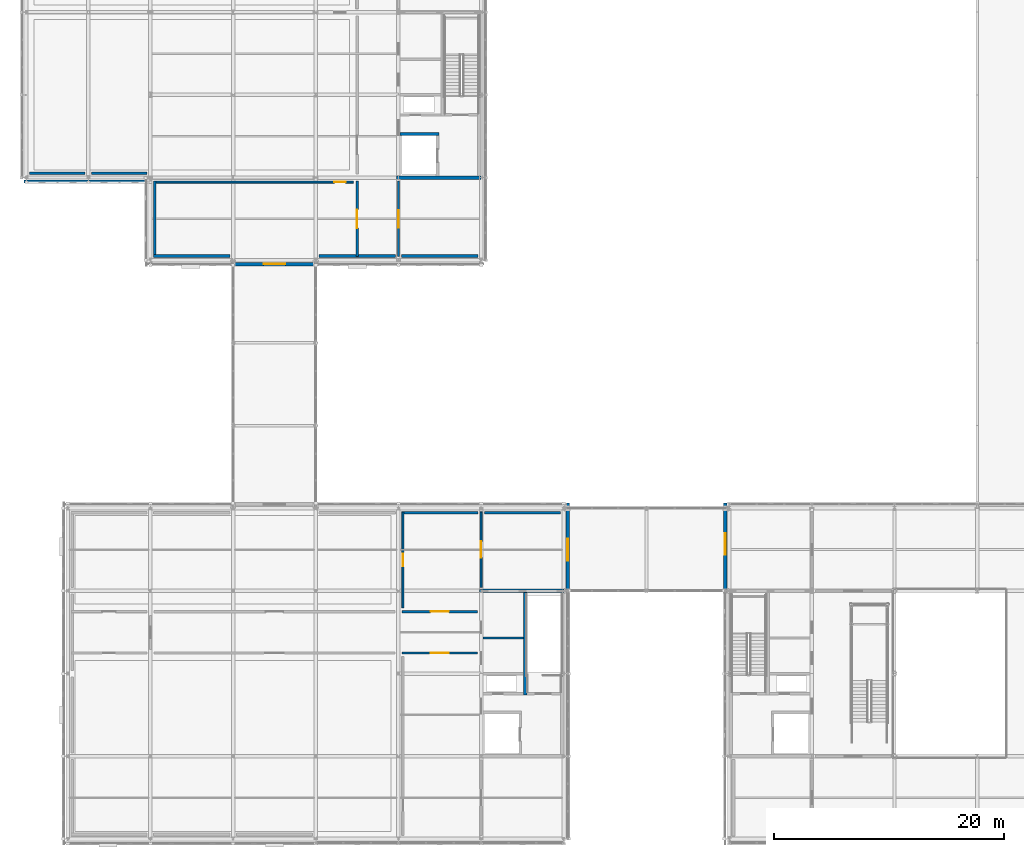
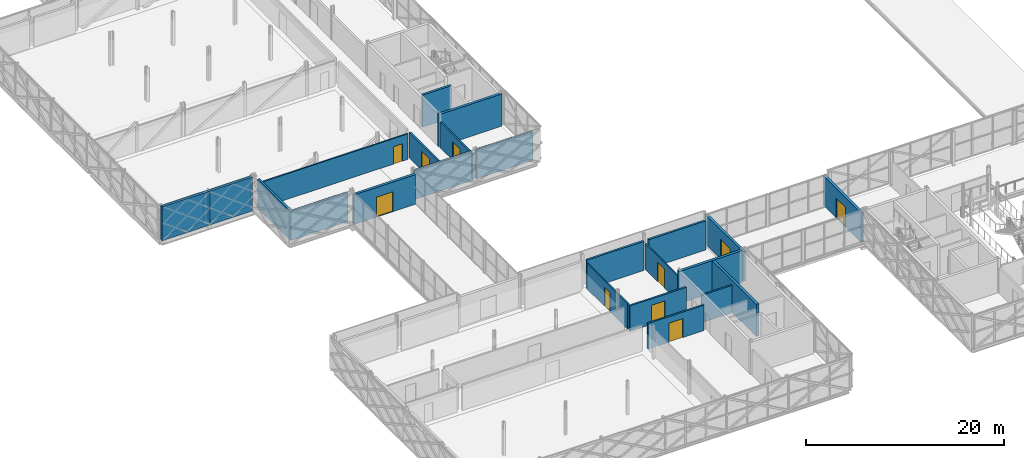
# One storey, part 102 of 126: 25 walls, 10 doors, 10 openings.
"""IFC4 building model written with IfcOpenShell, lengths in metres."""

import ifcopenshell
import ifcopenshell.guid

model = None  # the IFC model being written
_history = None  # IfcOwnerHistory: only IFC2X3 demands one
_inside = {}  # id of a spatial element -> (the spatial element, [elements in it])
_under = {}  # id of a project, library or spatial element -> (it, [spatial elements below it])
_declared = {}  # id of a project -> (the project, [libraries it declares])
_typed = {}  # id of a type object -> (the type object, [elements of that type])
_made_of = {}  # id of a material, layer set ... -> (it, [elements and type objects made of it])


def new_model(schema):
    """Start an empty IFC model of exactly this schema.

    Asked for "IFC4X3", IfcOpenShell would pick the latest addendum, in which some entities
    have other attributes; the version numbers below select the first issue.
    IFC2X3 requires an IfcOwnerHistory on every rooted entity: one is made here for all.
    """
    global model, _history
    if schema == "IFC4X3":
        model = ifcopenshell.file(schema_version=(4, 3, 0, 0))
    else:
        model = ifcopenshell.file(schema=schema)
    _inside.clear()
    _under.clear()
    _declared.clear()
    _typed.clear()
    _made_of.clear()
    _history = None
    if model.schema == "IFC2X3":
        org = make("IfcOrganization", Name="unknown")
        user = make(
            "IfcPersonAndOrganization",
            ThePerson=make("IfcPerson", FamilyName="unknown"),
            TheOrganization=org,
        )
        app = make(
            "IfcApplication",
            ApplicationDeveloper=org,
            Version="unknown",
            ApplicationFullName="unknown",
            ApplicationIdentifier="unknown",
        )
        _history = make(
            "IfcOwnerHistory",
            OwningUser=user,
            OwningApplication=app,
            ChangeAction="ADDED",
            CreationDate=0,
        )
    return model


def make(cls, **values):
    """One entity of the class cls with the attributes given. An attribute that is None is left unset."""
    return model.create_entity(
        cls, **{name: value for name, value in values.items() if value is not None}
    )


def rooted(cls, **values):
    """An entity with a GlobalId (a new one), such as an element, a storey or a relation."""
    return make(cls, GlobalId=ifcopenshell.guid.new(), OwnerHistory=_history, **values)


def si_unit(unit_type, name, prefix=None):
    """IfcSIUnit, for example si_unit("LENGTHUNIT", "METRE", prefix="MILLI")."""
    return make("IfcSIUnit", UnitType=unit_type, Prefix=prefix, Name=name)


def assignment(units):
    """IfcUnitAssignment: the units of a project."""
    return None if units is None else make("IfcUnitAssignment", Units=units)


def point(xyz):
    """IfcCartesianPoint."""
    return None if xyz is None else make("IfcCartesianPoint", Coordinates=xyz)


def direction(xyz):
    """IfcDirection."""
    return None if xyz is None else make("IfcDirection", DirectionRatios=xyz)


def frame(location, z_axis=None, x_axis=None):
    """IfcAxis2Placement3D, a coordinate frame: its origin and axes. An axis left out is left unset."""
    return make(
        "IfcAxis2Placement3D",
        Location=point(location),
        Axis=direction(z_axis),
        RefDirection=direction(x_axis),
    )


def frame_2d(location, x_axis=None):
    """IfcAxis2Placement2D, a coordinate frame in the plane: its origin and x axis."""
    return make(
        "IfcAxis2Placement2D", Location=point(location), RefDirection=direction(x_axis)
    )


def origin():
    """The frame at (0, 0, 0) with its axes left unset."""
    return frame((0.0, 0.0, 0.0))


def place(relative_to, where):
    """IfcLocalPlacement: puts the frame where relative to a parent placement (None: the world)."""
    return make(
        "IfcLocalPlacement", PlacementRelTo=relative_to, RelativePlacement=where
    )


def context(
    kind, dimensions, precision=None, world=None, true_north=None, identifier=None
):
    """IfcGeometricRepresentationContext, for example the 3D "Model" context."""
    return make(
        "IfcGeometricRepresentationContext",
        ContextIdentifier=identifier,
        ContextType=kind,
        CoordinateSpaceDimension=dimensions,
        Precision=precision,
        WorldCoordinateSystem=world,
        TrueNorth=true_north,
    )


def subcontext(parent, identifier, kind, view, scale=None):
    """IfcGeometricRepresentationSubContext, for example "Body" below "Model"."""
    return make(
        "IfcGeometricRepresentationSubContext",
        ContextIdentifier=identifier,
        ContextType=kind,
        ParentContext=parent,
        TargetScale=scale,
        TargetView=view,
    )


def project(units=None, contexts=None):
    """IfcProject with its units and contexts."""
    return rooted(
        "IfcProject",
        Name="project",
        RepresentationContexts=contexts,
        UnitsInContext=assignment(units),
    )


def spatial(cls, under=None, at=None, **own):
    """A site, building, storey or space (cls), placed at a placement, below another one or the project."""
    s = rooted(cls, ObjectPlacement=at, **own)
    if under is not None:
        _under.setdefault(under.id(), (under, []))[1].append(s)
    return s


def profile(cls, at=None, kind="AREA", **sizes):
    """A parametric profile (cls). Its sizes go by their IFC names, for example OverallWidth=200.0."""
    return make(cls, ProfileType=kind, Position=at, **sizes)


def rectangle(**sizes):
    """IfcRectangleProfileDef."""
    return profile("IfcRectangleProfileDef", **sizes)


def extrude(swept, where, along, depth):
    """IfcExtrudedAreaSolid: the profile swept, set in the frame where, extruded along a direction by depth."""
    return make(
        "IfcExtrudedAreaSolid",
        SweptArea=swept,
        Position=where,
        ExtrudedDirection=direction(along),
        Depth=depth,
    )


def shape(context_of_items, identifier, shape_type, items):
    """IfcShapeRepresentation: the items that make up one representation, for example the "Body"."""
    return make(
        "IfcShapeRepresentation",
        ContextOfItems=context_of_items,
        RepresentationIdentifier=identifier,
        RepresentationType=shape_type,
        Items=items,
    )


def material(Name=None, Category=None):
    """IfcMaterial."""
    return make("IfcMaterial", Name=Name, Category=Category)


def layer(
    of_material, thickness, ventilated=None, Name=None, Category=None, Priority=None
):
    """IfcMaterialLayer: one layer of a wall or slab, of a material (None: an air gap)."""
    return make(
        "IfcMaterialLayer",
        Material=of_material,
        LayerThickness=thickness,
        IsVentilated=ventilated,
        Name=Name,
        Category=Category,
        Priority=Priority,
    )


def layer_set(layers, Name=None):
    """IfcMaterialLayerSet."""
    return make("IfcMaterialLayerSet", MaterialLayers=layers, LayerSetName=Name)


def made_of(thing, what):
    """Note that an element or type object is made of a material, layer set ...; save() writes the relation."""
    if what is not None:
        _made_of.setdefault(what.id(), (what, []))[1].append(thing)
    return thing


def type_object(cls, material=None, **own):
    """A type object (cls), such as IfcWallType, which elements share."""
    return made_of(rooted(cls, **own), material)


def element(
    cls,
    number,
    at=None,
    inside=None,
    cuts=None,
    type_object=None,
    material=None,
    context=None,
    identifier="Body",
    shape_type=None,
    held_by="IfcProductDefinitionShape",
    body=None,
    shapes=None,
    **own,
):
    """One element of the class cls, such as IfcWall. Its Tag is "e" and its number.

    at: its placement. inside: the storey or other place that contains it. cuts: it is an
    opening in that element (IfcRelVoidsElement). A single representation is given by context,
    identifier, shape_type and body (its items); several are given by shapes. held_by: the class
    of the entity that holds the representations. save() writes the other relations.
    """
    e = rooted(cls, Tag="e%d" % number, ObjectPlacement=at, **own)
    if body is not None:
        shapes = [shape(context, identifier, shape_type, body)]
    if shapes is not None:
        e.Representation = make(held_by, Representations=shapes)
    if inside is not None:
        _inside.setdefault(inside.id(), (inside, []))[1].append(e)
    if cuts is not None:
        rooted(
            "IfcRelVoidsElement", RelatingBuildingElement=cuts, RelatedOpeningElement=e
        )
    if type_object is not None:
        _typed.setdefault(type_object.id(), (type_object, []))[1].append(e)
    return made_of(e, material)


def fill(opening, filler):
    """IfcRelFillsElement: the door or window that sits in an opening."""
    return rooted(
        "IfcRelFillsElement",
        RelatingOpeningElement=opening,
        RelatedBuildingElement=filler,
    )


def aggregate(whole, parts):
    """IfcRelAggregates: a whole, such as a stair, and the parts it consists of."""
    return rooted("IfcRelAggregates", RelatingObject=whole, RelatedObjects=parts)


def save(model, path):
    """Write the relations noted so far, then the file.

    IfcRelAggregates (storeys below a building ...), IfcRelContainedInSpatialStructure (elements
    in a storey), IfcRelDefinesByType, IfcRelAssociatesMaterial and IfcRelDeclares: one each for
    every whole, place, type object, material and project.
    """
    for whole, parts in _under.values():
        aggregate(whole, parts)
    for where, things in _inside.values():
        rooted(
            "IfcRelContainedInSpatialStructure",
            RelatedElements=things,
            RelatingStructure=where,
        )
    for kind, things in _typed.values():
        rooted("IfcRelDefinesByType", RelatedObjects=things, RelatingType=kind)
    for what, things in _made_of.values():
        rooted("IfcRelAssociatesMaterial", RelatedObjects=things, RelatingMaterial=what)
    for by, libraries in _declared.values():
        rooted("IfcRelDeclares", RelatingContext=by, RelatedDefinitions=libraries)
    model.write(path)


model = new_model("IFC4")

# Units and contexts
model_context = context("Model", 3, precision=1e-05, world=origin(), true_north=direction((0.0, 1.0)))
body_context = subcontext(model_context, "Body", "Model", "MODEL_VIEW")
ifc_project = project(units=[si_unit("LENGTHUNIT", "METRE"), si_unit("AREAUNIT", "SQUARE_METRE"), si_unit("VOLUMEUNIT", "CUBIC_METRE"), si_unit("PLANEANGLEUNIT", "RADIAN"), si_unit("MASSUNIT", "GRAM", prefix="KILO")], contexts=[model_context])

# Site, building, storey
site_placement = place(None, origin())
site = spatial("IfcSite", under=ifc_project, at=site_placement, CompositionType="ELEMENT")
building_placement = place(site_placement, origin())
building = spatial("IfcBuilding", under=site, at=building_placement, Name="Zlatovets Crest Museum", CompositionType="ELEMENT")
storey_placement = place(building_placement, frame((0.0, 0.0, 8.699951171875)))
storey = spatial("IfcBuildingStorey", under=building, at=storey_placement, Name="L02", CompositionType="ELEMENT", Elevation=8.699951171875)

# Walls
ifc_material_1 = material(Name="Concrete C35/45", Category="concrete")
ifc_layer_1 = layer(ifc_material_1, 0.300048828125)
ifc_layer_set_1 = layer_set([ifc_layer_1], Name="Concrete C35/45")
wall_type_1 = type_object("IfcWallType", Name="CoreWall_SW01", PredefinedType="SHEAR", material=ifc_layer_set_1)
wall_1_placement = place(storey_placement, frame((35.85009765625, 21.60009765625, 0.0), z_axis=(0.0, 0.0, 1.0), x_axis=(1.0, 0.0, 0.0)))
element("IfcWall", 1, at=wall_1_placement, inside=storey, type_object=wall_type_1, Name="Core C3 L02 North Shear Wall", PredefinedType="SHEAR", context=body_context, shape_type="SweptSolid", body=[
    extrude(rectangle(XDim=7.349853515625, YDim=0.300048828125, at=frame_2d((3.6748046875, 0.0))), origin(), (0.0, 0.0, 1.0), 3.9599609375),
])
wall_2_placement = place(storey_placement, frame((39.85009765625, 12.5400390625, 0.0), z_axis=(0.0, 0.0, 1.0), x_axis=(0.0, 1.0, 0.0)))
element("IfcWall", 2, at=wall_2_placement, inside=storey, type_object=wall_type_1, Name="Core C3 L02 Stair Divider Wall", PredefinedType="SHEAR", context=body_context, shape_type="SweptSolid", body=[
    extrude(rectangle(XDim=8.909912109375, YDim=0.300048828125, at=frame_2d((4.455078125, 0.0))), origin(), (0.0, 0.0, 1.0), 3.9599609375),
])
wall_3_placement = place(storey_placement, frame((28.64990234375, 57.60009765625, 0.0), z_axis=(0.0, 0.0, 1.0), x_axis=(1.0, 0.0, 0.0)))
element("IfcWall", 3, at=wall_3_placement, inside=storey, type_object=wall_type_1, Name="Core C4 L02 South Shear Wall", PredefinedType="SHEAR", context=body_context, shape_type="SweptSolid", body=[
    extrude(rectangle(XDim=7.35009765625, YDim=0.300048828125, at=frame_2d((3.675048828125, 0.0))), origin(), (0.0, 0.0, 1.0), 3.9599609375),
])
ifc_layer_2 = layer(ifc_material_1, 0.25)
ifc_layer_set_2 = layer_set([ifc_layer_2], Name="Concrete C35/45")
wall_type_2 = type_object("IfcWallType", Name="CoreWall_SW02", PredefinedType="SHEAR", material=ifc_layer_set_2)
wall_4_placement = place(storey_placement, frame((28.949951171875, 61.39990234375, 0.0), z_axis=(0.0, 0.0, 1.0), x_axis=(1.0, 0.0, 0.0)))
element("IfcWall", 4, at=wall_4_placement, inside=storey, type_object=wall_type_2, Name="Core C4 L02 Lift Shaft North Shear Wall", PredefinedType="SHEAR", context=body_context, shape_type="SweptSolid", body=[
    extrude(rectangle(XDim=3.375, YDim=0.25, at=frame_2d((1.6875, 0.0))), origin(), (0.0, 0.0, 1.0), 3.9599609375),
])

# Wall, opening, door
ifc_material_2 = material(Name="Insulated gallery conservation liner wall", Category="concrete")
ifc_layer_3 = layer(ifc_material_2, 0.300048828125)
ifc_layer_set_3 = layer_set([ifc_layer_3], Name="Insulated gallery conservation liner wall")
wall_type_3 = type_object("IfcWallType", Name="ExtWall_EW-02", PredefinedType="STANDARD", material=ifc_layer_set_3)
wall_5_placement = place(storey_placement, frame((57.260009765625, 29.280029296875, 0.0), z_axis=(0.0, 0.0, 1.0), x_axis=(0.0, -1.0, 0.0)))
wall_5 = element("IfcWall", 5, at=wall_5_placement, inside=storey, type_object=wall_type_3, Name="V2 L02 Bridge Portal Wall", PredefinedType="STANDARD", context=body_context, shape_type="SweptSolid", body=[
    extrude(rectangle(XDim=7.679931640625, YDim=0.300048828125, at=frame_2d((3.83984375, 0.0))), origin(), (0.0, 0.0, 1.0), 3.650146484375),
])
opening_1_placement = place(wall_5_placement, frame((2.64990234375, 0.0, 0.0)))
opening_1 = element("IfcOpeningElement", 6, at=opening_1_placement, cuts=wall_5, Name="Opening ED-02", PredefinedType="OPENING", context=body_context, shape_type="SweptSolid", body=[
    extrude(rectangle(XDim=1.89990234375, YDim=2.449951171875, at=frame_2d((0.949951171875, 1.22509765625))), frame((0.0, 0.16015625, 0.0), z_axis=(0.0, -1.0, 0.0), x_axis=(1.0, 0.0, 0.0)), (0.0, 0.0, 1.0), 0.320068359375),
])
ifc_material_3 = material(Name="Bronze-clad insulated steel door", Category="steel")
door_type_1 = type_object("IfcDoorType", Name="ExtDoor_ED-02", OperationType="NOTDEFINED", PredefinedType="DOOR", material=ifc_material_3)
door_1_placement = place(opening_1_placement, origin())
door_1 = element("IfcDoor", 7, at=door_1_placement, inside=storey, type_object=door_type_1, Name="ED-V2-L02-BR024 V2 L02 Bridge Link Portal Door", OperationType="DOUBLE_DOOR_SINGLE_SWING", OverallHeight=2.449951171875, OverallWidth=1.89990234375, PredefinedType="DOOR", context=body_context, shape_type="SweptSolid", body=[
    extrude(rectangle(XDim=1.89990234375, YDim=2.449951171875, at=frame_2d((0.949951171875, 1.22509765625))), frame((0.0, 0.02490234375, 0.0), z_axis=(0.0, -1.0, 0.0), x_axis=(1.0, 0.0, 0.0)), (0.0, 0.0, 1.0), 0.050048828125),
])
fill(opening_1, door_1)

wall_6_placement = place(storey_placement, frame((43.5400390625, 21.60009765625, 0.0), z_axis=(0.0, 0.0, 1.0), x_axis=(0.0, 1.0, 0.0)))
wall_6 = element("IfcWall", 8, at=wall_6_placement, inside=storey, type_object=wall_type_3, Name="V3 L02 Bridge Portal Wall", PredefinedType="STANDARD", context=body_context, shape_type="SweptSolid", body=[
    extrude(rectangle(XDim=7.679931640625, YDim=0.300048828125, at=frame_2d((3.83984375, 0.0))), origin(), (0.0, 0.0, 1.0), 3.650146484375),
])
opening_2_placement = place(wall_6_placement, frame((2.64990234375, 0.0, 0.0)))
opening_2 = element("IfcOpeningElement", 9, at=opening_2_placement, cuts=wall_6, Name="Opening ED-02", PredefinedType="OPENING", context=body_context, shape_type="SweptSolid", body=[
    extrude(rectangle(XDim=1.89990234375, YDim=2.449951171875, at=frame_2d((0.949951171875, 1.22509765625))), frame((0.0, 0.16015625, 0.0), z_axis=(0.0, -1.0, 0.0), x_axis=(1.0, 0.0, 0.0)), (0.0, 0.0, 1.0), 0.320068359375),
])
door_2_placement = place(opening_2_placement, origin())
door_2 = element("IfcDoor", 10, at=door_2_placement, inside=storey, type_object=door_type_1, Name="ED-V3-L02-BR031 V3 L02 Bridge Link Portal Door", OperationType="DOUBLE_DOOR_SINGLE_SWING", OverallHeight=2.449951171875, OverallWidth=1.89990234375, PredefinedType="DOOR", context=body_context, shape_type="SweptSolid", body=[
    extrude(rectangle(XDim=1.89990234375, YDim=2.449951171875, at=frame_2d((0.949951171875, 1.22509765625))), frame((0.0, 0.02490234375, 0.0), z_axis=(0.0, -1.0, 0.0), x_axis=(1.0, 0.0, 0.0)), (0.0, 0.0, 1.0), 0.050048828125),
])
fill(opening_2, door_2)

# Walls
for number, where, z_axis, x_axis, name in (
    (11, (42.919921875, 28.419921875, 0.0), (0.0, 0.0, 1.0), (-1.0, 0.0, 0.0), "V3 L02 Interior Conservation Gallery Liner Wall"),
    (12, (35.719970703125, 28.419921875, 0.0), (0.0, 0.0, 1.0), (-1.0, 0.0, 0.0), "V3 L02 Interior Conservation Gallery Liner Wall"),
):
    element("IfcWall", number, at=place(storey_placement, frame(where, z_axis=z_axis, x_axis=x_axis)), inside=storey, type_object=wall_type_3, Name=name, PredefinedType="STANDARD", context=body_context, shape_type="SweptSolid", body=[
        extrude(rectangle(XDim=6.639892578125, YDim=0.239990234375, at=frame_2d((3.31982421875, 0.0))), origin(), (0.0, 0.0, 1.0), 3.580078125),
    ])
wall_7_placement = place(storey_placement, frame((7.47998046875, 50.780029296875, 0.0), z_axis=(0.0, 0.0, 1.0), x_axis=(1.0, 0.0, 0.0)))
element("IfcWall", 13, at=wall_7_placement, inside=storey, type_object=wall_type_3, Name="V4 L02 Interior Conservation Gallery Liner Wall", PredefinedType="STANDARD", context=body_context, shape_type="SweptSolid", body=[
    extrude(rectangle(XDim=6.64013671875, YDim=0.239990234375, at=frame_2d((3.320068359375, 0.0))), origin(), (0.0, 0.0, 1.0), 3.56005859375),
])

# Wall, opening, door
wall_8_placement = place(storey_placement, frame((14.39990234375, 50.06005859375, 0.0), z_axis=(0.0, 0.0, 1.0), x_axis=(1.0, 0.0, 0.0)))
wall_8 = element("IfcWall", 14, at=wall_8_placement, inside=storey, type_object=wall_type_3, Name="V4 L02 Bridge Portal Wall", PredefinedType="STANDARD", context=body_context, shape_type="SweptSolid", body=[
    extrude(rectangle(XDim=7.2001953125, YDim=0.300048828125, at=frame_2d((3.60009765625, 0.0))), origin(), (0.0, 0.0, 1.0), 3.650146484375),
])
opening_3_placement = place(wall_8_placement, frame((2.64990234375, 0.0, 0.0)))
opening_3 = element("IfcOpeningElement", 15, at=opening_3_placement, cuts=wall_8, Name="Opening ED-02", PredefinedType="OPENING", context=body_context, shape_type="SweptSolid", body=[
    extrude(rectangle(XDim=1.89990234375, YDim=2.449951171875, at=frame_2d((0.949951171875, 1.22509765625))), frame((0.0, 0.16015625, 0.0), z_axis=(0.0, -1.0, 0.0), x_axis=(1.0, 0.0, 0.0)), (0.0, 0.0, 1.0), 0.320068359375),
])
door_3_placement = place(opening_3_placement, origin())
door_3 = element("IfcDoor", 16, at=door_3_placement, inside=storey, type_object=door_type_1, Name="ED-V4-L02-BR039 V4 L02 Bridge Link Portal Door", OperationType="DOUBLE_DOOR_SINGLE_SWING", OverallHeight=2.449951171875, OverallWidth=1.89990234375, PredefinedType="DOOR", context=body_context, shape_type="SweptSolid", body=[
    extrude(rectangle(XDim=1.89990234375, YDim=2.449951171875, at=frame_2d((0.949951171875, 1.22509765625))), frame((0.0, 0.02490234375, 0.0), z_axis=(0.0, -1.0, 0.0), x_axis=(1.0, 0.0, 0.0)), (0.0, 0.0, 1.0), 0.050048828125),
])
fill(opening_3, door_3)

# Walls
wall_9_placement = place(storey_placement, frame((21.8798828125, 50.780029296875, 0.0), z_axis=(0.0, 0.0, 1.0), x_axis=(1.0, 0.0, 0.0)))
element("IfcWall", 17, at=wall_9_placement, inside=storey, type_object=wall_type_3, Name="V4 L02 Interior Conservation Gallery Liner Wall", PredefinedType="STANDARD", context=body_context, shape_type="SweptSolid", body=[
    extrude(rectangle(XDim=6.64013671875, YDim=0.239990234375, at=frame_2d((3.320068359375, 0.0))), origin(), (0.0, 0.0, 1.0), 3.56005859375),
])
wall_10_placement = place(storey_placement, frame((29.080078125, 50.780029296875, 0.0), z_axis=(0.0, 0.0, 1.0), x_axis=(1.0, 0.0, 0.0)))
element("IfcWall", 18, at=wall_10_placement, inside=storey, type_object=wall_type_3, Name="V4 L02 Interior Conservation Gallery Liner Wall", PredefinedType="STANDARD", context=body_context, shape_type="SweptSolid", body=[
    extrude(rectangle(XDim=6.639892578125, YDim=0.239990234375, at=frame_2d((3.31982421875, 0.0))), origin(), (0.0, 0.0, 1.0), 3.56005859375),
])
wall_11_placement = place(storey_placement, frame((-3.320068359375, 57.97998046875, 0.0), z_axis=(0.0, 0.0, 1.0), x_axis=(1.0, 0.0, 0.0)))
element("IfcWall", 19, at=wall_11_placement, inside=storey, type_object=wall_type_3, Name="V4 L02 Interior Conservation Gallery Liner Wall", PredefinedType="STANDARD", context=body_context, shape_type="SweptSolid", body=[
    extrude(rectangle(XDim=4.840087890625, YDim=0.239990234375, at=frame_2d((2.419921875, 0.0))), origin(), (0.0, 0.0, 1.0), 3.56005859375),
])
wall_12_placement = place(storey_placement, frame((2.080078125, 57.97998046875, 0.0), z_axis=(0.0, 0.0, 1.0), x_axis=(1.0, 0.0, 0.0)))
element("IfcWall", 20, at=wall_12_placement, inside=storey, type_object=wall_type_3, Name="V4 L02 Interior Conservation Gallery Liner Wall", PredefinedType="STANDARD", context=body_context, shape_type="SweptSolid", body=[
    extrude(rectangle(XDim=4.83984375, YDim=0.239990234375, at=frame_2d((2.419921875, 0.0))), origin(), (0.0, 0.0, 1.0), 3.56005859375),
])
wall_13_placement = place(storey_placement, frame((7.580078125, 57.320068359375, 0.0), z_axis=(0.0, 0.0, 1.0), x_axis=(0.0, -1.0, 0.0)))
element("IfcWall", 21, at=wall_13_placement, inside=storey, type_object=wall_type_3, Name="V4 L02 Interior Conservation Gallery Liner Wall", PredefinedType="STANDARD", context=body_context, shape_type="SweptSolid", body=[
    extrude(rectangle(XDim=6.64013671875, YDim=0.239990234375, at=frame_2d((3.320068359375, 0.0))), origin(), (0.0, 0.0, 1.0), 3.56005859375),
])
ifc_material_4 = material(Name="Polychrome majolica ceramic spandrel wall", Category="masonry")
ifc_layer_4 = layer(ifc_material_4, 0.280029296875)
ifc_layer_set_4 = layer_set([ifc_layer_4], Name="Polychrome majolica ceramic spandrel wall")
wall_type_4 = type_object("IfcWallType", Name="ExtWall_EW-03", PredefinedType="STANDARD", material=ifc_layer_set_4)
wall_14_placement = place(storey_placement, frame((-3.800048828125, 57.260009765625, 0.0), z_axis=(0.0, 0.0, 1.0), x_axis=(1.0, 0.0, 0.0)))
element("IfcWall", 22, at=wall_14_placement, inside=storey, type_object=wall_type_4, Name="V4 L02 Transfer Truss Majolica Spandrel Wall", PredefinedType="STANDARD", context=body_context, shape_type="SweptSolid", body=[
    extrude(rectangle(XDim=5.60009765625, YDim=0.280029296875, at=frame_2d((2.800048828125, 0.0))), origin(), (0.0, 0.0, 1.0), 4.199951171875),
])
wall_15_placement = place(storey_placement, frame((1.800048828125, 57.260009765625, 0.0), z_axis=(0.0, 0.0, 1.0), x_axis=(1.0, 0.0, 0.0)))
element("IfcWall", 23, at=wall_15_placement, inside=storey, type_object=wall_type_4, Name="V4 L02 Transfer Truss Majolica Spandrel Wall", PredefinedType="STANDARD", context=body_context, shape_type="SweptSolid", body=[
    extrude(rectangle(XDim=4.919921875, YDim=0.280029296875, at=frame_2d((2.4599609375, 0.0))), origin(), (0.0, 0.0, 1.0), 4.199951171875),
])

# Wall, opening, door
ifc_material_5 = material(Name="Gypsum-encased fire compartment partition")
ifc_layer_5 = layer(ifc_material_5, 0.199951171875)
ifc_layer_set_5 = layer_set([ifc_layer_5], Name="Gypsum-encased fire compartment partition")
wall_type_5 = type_object("IfcWallType", Name="PartWall_PT-01", PredefinedType="PARTITIONING", material=ifc_layer_set_5)
wall_16_placement = place(storey_placement, frame((29.1201171875, 16.199951171875, 0.0), z_axis=(0.0, 0.0, 1.0), x_axis=(1.0, 0.0, 0.0)))
wall_16 = element("IfcWall", 24, at=wall_16_placement, inside=storey, type_object=wall_type_5, Name="V3 L02 Interior Partition PT-01", PredefinedType="PARTITIONING", context=body_context, shape_type="SweptSolid", body=[
    extrude(rectangle(XDim=6.559814453125, YDim=0.199951171875, at=frame_2d((3.27978515625, 0.0))), origin(), (0.0, 0.0, 1.0), 3.150146484375),
])
opening_4_placement = place(wall_16_placement, frame((2.47998046875, 0.0, 0.0)))
opening_4 = element("IfcOpeningElement", 25, at=opening_4_placement, cuts=wall_16, Name="Opening ID-04", PredefinedType="OPENING", context=body_context, shape_type="SweptSolid", body=[
    extrude(rectangle(XDim=1.60009765625, YDim=2.35009765625, at=frame_2d((0.800048828125, 1.175048828125))), frame((0.0, 0.10986328125, 0.0), z_axis=(0.0, -1.0, 0.0), x_axis=(1.0, 0.0, 0.0)), (0.0, 0.0, 1.0), 0.219970703125),
])
ifc_material_6 = material(Name="Gallery salon double portal door")
door_type_2 = type_object("IfcDoorType", Name="IntDoor_ID-04", OperationType="DOUBLE_DOOR_SINGLE_SWING", PredefinedType="DOOR", material=ifc_material_6)
door_4_placement = place(opening_4_placement, origin())
door_4 = element("IfcDoor", 26, at=door_4_placement, inside=storey, type_object=door_type_2, Name="IDOOR-V3-L02-0157 Pavilion Gallery Corridor to Symposium and Lecture Salon Door", OperationType="DOUBLE_DOOR_SINGLE_SWING", OverallHeight=2.35009765625, OverallWidth=1.60009765625, PredefinedType="DOOR", context=body_context, shape_type="SweptSolid", body=[
    extrude(rectangle(XDim=1.60009765625, YDim=2.35009765625, at=frame_2d((0.800048828125, 1.175048828125))), frame((0.0, 0.02490234375, 0.0), z_axis=(0.0, -1.0, 0.0), x_axis=(1.0, 0.0, 0.0)), (0.0, 0.0, 1.0), 0.050048828125),
])
fill(opening_4, door_4)

wall_17_placement = place(storey_placement, frame((29.1201171875, 19.800048828125, 0.0), z_axis=(0.0, 0.0, 1.0), x_axis=(1.0, 0.0, 0.0)))
wall_17 = element("IfcWall", 27, at=wall_17_placement, inside=storey, type_object=wall_type_5, Name="V3 L02 Interior Partition PT-01", PredefinedType="PARTITIONING", context=body_context, shape_type="SweptSolid", body=[
    extrude(rectangle(XDim=6.559814453125, YDim=0.199951171875, at=frame_2d((3.27978515625, 0.0))), origin(), (0.0, 0.0, 1.0), 3.150146484375),
])
opening_5_placement = place(wall_17_placement, frame((2.47998046875, 0.0, 0.0)))
opening_5 = element("IfcOpeningElement", 28, at=opening_5_placement, cuts=wall_17, Name="Opening ID-04", PredefinedType="OPENING", context=body_context, shape_type="SweptSolid", body=[
    extrude(rectangle(XDim=1.60009765625, YDim=2.35009765625, at=frame_2d((0.800048828125, 1.175048828125))), frame((0.0, 0.10986328125, 0.0), z_axis=(0.0, -1.0, 0.0), x_axis=(1.0, 0.0, 0.0)), (0.0, 0.0, 1.0), 0.219970703125),
])
door_5_placement = place(opening_5_placement, origin())
door_5 = element("IfcDoor", 29, at=door_5_placement, inside=storey, type_object=door_type_2, Name="IDOOR-V3-L02-0158 Pavilion Gallery Corridor to Design Archive Study Salon Door", OperationType="DOUBLE_DOOR_SINGLE_SWING", OverallHeight=2.35009765625, OverallWidth=1.60009765625, PredefinedType="DOOR", context=body_context, shape_type="SweptSolid", body=[
    extrude(rectangle(XDim=1.60009765625, YDim=2.35009765625, at=frame_2d((0.800048828125, 1.175048828125))), frame((0.0, 0.02490234375, 0.0), z_axis=(0.0, -1.0, 0.0), x_axis=(1.0, 0.0, 0.0)), (0.0, 0.0, 1.0), 0.050048828125),
])
fill(opening_5, door_5)

wall_18_placement = place(storey_placement, frame((25.199951171875, 50.719970703125, 0.0), z_axis=(0.0, 0.0, 1.0), x_axis=(0.0, 1.0, 0.0)))
wall_18 = element("IfcWall", 30, at=wall_18_placement, inside=storey, type_object=wall_type_5, Name="V4 L02 Interior Partition PT-01", PredefinedType="PARTITIONING", context=body_context, shape_type="SweptSolid", body=[
    extrude(rectangle(XDim=6.56005859375, YDim=0.199951171875, at=frame_2d((3.280029296875, 0.0))), origin(), (0.0, 0.0, 1.0), 3.150146484375),
])
opening_6_placement = place(wall_18_placement, frame((2.47998046875, 0.0, 0.0)))
opening_6 = element("IfcOpeningElement", 31, at=opening_6_placement, cuts=wall_18, Name="Opening ID-04", PredefinedType="OPENING", context=body_context, shape_type="SweptSolid", body=[
    extrude(rectangle(XDim=1.60009765625, YDim=2.35009765625, at=frame_2d((0.800048828125, 1.175048828125))), frame((0.0, 0.10986328125, 0.0), z_axis=(0.0, -1.0, 0.0), x_axis=(1.0, 0.0, 0.0)), (0.0, 0.0, 1.0), 0.219970703125),
])
door_6_placement = place(opening_6_placement, origin())
door_6 = element("IfcDoor", 32, at=door_6_placement, inside=storey, type_object=door_type_2, Name="IDOOR-V4-L02-0166 West Wing Concourse L02 to European Art Nouveau Porcelain Cabinet Door", OperationType="DOUBLE_DOOR_SINGLE_SWING", OverallHeight=2.35009765625, OverallWidth=1.60009765625, PredefinedType="DOOR", context=body_context, shape_type="SweptSolid", body=[
    extrude(rectangle(XDim=1.60009765625, YDim=2.35009765625, at=frame_2d((0.800048828125, 1.175048828125))), frame((0.0, 0.02490234375, 0.0), z_axis=(0.0, -1.0, 0.0), x_axis=(1.0, 0.0, 0.0)), (0.0, 0.0, 1.0), 0.050048828125),
])
fill(opening_6, door_6)

wall_19_placement = place(storey_placement, frame((28.800048828125, 50.719970703125, 0.0), z_axis=(0.0, 0.0, 1.0), x_axis=(0.0, 1.0, 0.0)))
wall_19 = element("IfcWall", 33, at=wall_19_placement, inside=storey, type_object=wall_type_5, Name="V4 L02 Interior Partition PT-01", PredefinedType="PARTITIONING", context=body_context, shape_type="SweptSolid", body=[
    extrude(rectangle(XDim=6.56005859375, YDim=0.199951171875, at=frame_2d((3.280029296875, 0.0))), origin(), (0.0, 0.0, 1.0), 3.150146484375),
])
opening_7_placement = place(wall_19_placement, frame((2.530029296875, 0.0, 0.0)))
opening_7 = element("IfcOpeningElement", 34, at=opening_7_placement, cuts=wall_19, Name="Opening FD-02", PredefinedType="OPENING", context=body_context, shape_type="SweptSolid", body=[
    extrude(rectangle(XDim=1.5, YDim=2.25, at=frame_2d((0.75, 1.125))), frame((0.0, 0.10986328125, 0.0), z_axis=(0.0, -1.0, 0.0), x_axis=(1.0, 0.0, 0.0)), (0.0, 0.0, 1.0), 0.219970703125),
])
ifc_material_7 = material(Name="Double corridor compartment fire door")
door_type_3 = type_object("IfcDoorType", Name="IntDoor_FD-02", OperationType="DOUBLE_DOOR_SINGLE_SWING", PredefinedType="DOOR", material=ifc_material_7)
door_7_placement = place(opening_7_placement, origin())
door_7 = element("IfcDoor", 35, at=door_7_placement, inside=storey, type_object=door_type_3, Name="IDOOR-V4-L02-0171 West Wing Concourse L02 to Roof Garden Access Foyer Door", OperationType="DOUBLE_DOOR_SINGLE_SWING", OverallHeight=2.25, OverallWidth=1.5, PredefinedType="DOOR", context=body_context, shape_type="SweptSolid", body=[
    extrude(rectangle(XDim=1.5, YDim=2.25, at=frame_2d((0.75, 1.125))), frame((0.0, 0.02490234375, 0.0), z_axis=(0.0, -1.0, 0.0), x_axis=(1.0, 0.0, 0.0)), (0.0, 0.0, 1.0), 0.050048828125),
])
fill(opening_7, door_7)

ifc_material_8 = material(Name="Acoustic museum gallery stud partition")
ifc_layer_6 = layer(ifc_material_8, 0.159912109375)
ifc_layer_set_6 = layer_set([ifc_layer_6], Name="Acoustic museum gallery stud partition")
wall_type_6 = type_object("IfcWallType", Name="PartWall_PT-02", PredefinedType="PARTITIONING", material=ifc_layer_set_6)
wall_20_placement = place(storey_placement, frame((29.179931640625, 20.1201171875, 0.0), z_axis=(0.0, 0.0, 1.0), x_axis=(0.0, 1.0, 0.0)))
wall_20 = element("IfcWall", 36, at=wall_20_placement, inside=storey, type_object=wall_type_6, Name="V3 L02 Interior Partition PT-02", PredefinedType="PARTITIONING", context=body_context, shape_type="SweptSolid", body=[
    extrude(rectangle(XDim=8.35986328125, YDim=0.159912109375, at=frame_2d((4.179931640625, 0.0))), origin(), (0.0, 0.0, 1.0), 3.150146484375),
])
opening_8_placement = place(wall_20_placement, frame((3.6298828125, 0.0, 0.0)))
opening_8 = element("IfcOpeningElement", 37, at=opening_8_placement, cuts=wall_20, Name="Opening ID-19", PredefinedType="OPENING", context=body_context, shape_type="SweptSolid", body=[
    extrude(rectangle(XDim=1.10009765625, YDim=2.35009765625, at=frame_2d((0.550048828125, 1.175048828125))), frame((0.0, 0.08984375, 0.0), z_axis=(0.0, -1.0, 0.0), x_axis=(1.0, 0.0, 0.0)), (0.0, 0.0, 1.0), 0.179931640625),
])
ifc_material_9 = material(Name="Library study glazed door")
door_type_4 = type_object("IfcDoorType", Name="IntDoor_ID-19", OperationType="NOTDEFINED", PredefinedType="DOOR", material=ifc_material_9)
door_8_placement = place(opening_8_placement, origin())
door_8 = element("IfcDoor", 38, at=door_8_placement, inside=storey, type_object=door_type_4, Name="IDOOR-V3-L02-0162 Industrial and Graphic Design Salon to Design Archive Study Salon Door", OperationType="SINGLE_SWING_LEFT", OverallHeight=2.35009765625, OverallWidth=1.10009765625, PredefinedType="DOOR", context=body_context, shape_type="SweptSolid", body=[
    extrude(rectangle(XDim=1.10009765625, YDim=2.35009765625, at=frame_2d((0.550048828125, 1.175048828125))), frame((0.0, 0.02490234375, 0.0), z_axis=(0.0, -1.0, 0.0), x_axis=(1.0, 0.0, 0.0)), (0.0, 0.0, 1.0), 0.050048828125),
])
fill(opening_8, door_8)

wall_21_placement = place(storey_placement, frame((36.0, 21.919921875, 0.0), z_axis=(0.0, 0.0, 1.0), x_axis=(0.0, 1.0, 0.0)))
wall_21 = element("IfcWall", 39, at=wall_21_placement, inside=storey, type_object=wall_type_6, Name="V3 L02 Interior Partition PT-02", PredefinedType="PARTITIONING", context=body_context, shape_type="SweptSolid", body=[
    extrude(rectangle(XDim=6.56005859375, YDim=0.159912109375, at=frame_2d((3.280029296875, 0.0))), origin(), (0.0, 0.0, 1.0), 3.150146484375),
])
opening_9_placement = place(wall_21_placement, frame((2.554931640625, 0.0, 0.0)))
opening_9 = element("IfcOpeningElement", 40, at=opening_9_placement, cuts=wall_21, Name="Opening ID-22", PredefinedType="OPENING", context=body_context, shape_type="SweptSolid", body=[
    extrude(rectangle(XDim=1.449951171875, YDim=2.35009765625, at=frame_2d((0.72509765625, 1.175048828125))), frame((0.0, 0.08984375, 0.0), z_axis=(0.0, -1.0, 0.0), x_axis=(1.0, 0.0, 0.0)), (0.0, 0.0, 1.0), 0.179931640625),
])
ifc_material_10 = material(Name="Education studio double door")
door_type_5 = type_object("IfcDoorType", Name="IntDoor_ID-22", OperationType="DOUBLE_DOOR_SINGLE_SWING", PredefinedType="DOOR", material=ifc_material_10)
door_9_placement = place(opening_9_placement, origin())
door_9 = element("IfcDoor", 41, at=door_9_placement, inside=storey, type_object=door_type_5, Name="IDOOR-V3-L02-0165 Design Archive Study Salon to Curatorial Library Nook Door", OperationType="DOUBLE_DOOR_SINGLE_SWING", OverallHeight=2.35009765625, OverallWidth=1.449951171875, PredefinedType="DOOR", context=body_context, shape_type="SweptSolid", body=[
    extrude(rectangle(XDim=1.449951171875, YDim=2.35009765625, at=frame_2d((0.72509765625, 1.175048828125))), frame((0.0, 0.02490234375, 0.0), z_axis=(0.0, -1.0, 0.0), x_axis=(1.0, 0.0, 0.0)), (0.0, 0.0, 1.0), 0.050048828125),
])
fill(opening_9, door_9)

wall_22_placement = place(storey_placement, frame((7.52001953125, 57.199951171875, 0.0), z_axis=(0.0, 0.0, 1.0), x_axis=(1.0, 0.0, 0.0)))
wall_22 = element("IfcWall", 42, at=wall_22_placement, inside=storey, type_object=wall_type_6, Name="V4 L02 Interior Partition PT-02", PredefinedType="PARTITIONING", context=body_context, shape_type="SweptSolid", body=[
    extrude(rectangle(XDim=17.35986328125, YDim=0.159912109375, at=frame_2d((8.679931640625, 0.0))), origin(), (0.0, 0.0, 1.0), 3.150146484375),
])
opening_10_placement = place(wall_22_placement, frame((15.679931640625, 0.0, 0.0)))
opening_10 = element("IfcOpeningElement", 43, at=opening_10_placement, cuts=wall_22, Name="Opening ID-01", PredefinedType="OPENING", context=body_context, shape_type="SweptSolid", body=[
    extrude(rectangle(XDim=1.0, YDim=2.14990234375, at=frame_2d((0.5, 1.074951171875))), frame((0.0, 0.08984375, 0.0), z_axis=(0.0, -1.0, 0.0), x_axis=(1.0, 0.0, 0.0)), (0.0, 0.0, 1.0), 0.179931640625),
])
ifc_material_11 = material(Name="Solid oak museum room door")
door_type_6 = type_object("IfcDoorType", Name="IntDoor_ID-01", OperationType="NOTDEFINED", PredefinedType="DOOR", material=ifc_material_11)
door_10_placement = place(opening_10_placement, origin())
door_10 = element("IfcDoor", 44, at=door_10_placement, inside=storey, type_object=door_type_6, Name="IDOOR-V4-L02-0173 European Art Nouveau Porcelain Cabinet to Symbolist Painting South Cantilever Gallery Door", OperationType="SINGLE_SWING_RIGHT", OverallHeight=2.14990234375, OverallWidth=1.0, PredefinedType="DOOR", context=body_context, shape_type="SweptSolid", body=[
    extrude(rectangle(XDim=1.0, YDim=2.14990234375, at=frame_2d((0.5, 1.074951171875))), frame((0.0, 0.02490234375, 0.0), z_axis=(0.0, -1.0, 0.0), x_axis=(1.0, 0.0, 0.0)), (0.0, 0.0, 1.0), 0.050048828125),
])
fill(opening_10, door_10)

# Wall
ifc_material_12 = material(Name="Sanitary core acoustic service wall")
ifc_layer_7 = layer(ifc_material_12, 0.219970703125)
ifc_layer_set_7 = layer_set([ifc_layer_7], Name="Sanitary core acoustic service wall")
wall_type_7 = type_object("IfcWallType", Name="PartWall_PT-04", PredefinedType="PLUMBINGWALL", material=ifc_layer_set_7)
wall_23_placement = place(storey_placement, frame((36.14990234375, 17.5, 0.0), z_axis=(0.0, 0.0, 1.0), x_axis=(1.0, 0.0, 0.0)))
element("IfcWall", 45, at=wall_23_placement, inside=storey, type_object=wall_type_7, Name="Core C3 L02 Sanitary Divider", PredefinedType="PLUMBINGWALL", context=body_context, shape_type="SweptSolid", body=[
    extrude(rectangle(XDim=3.550048828125, YDim=0.199951171875, at=frame_2d((1.77490234375, 0.0))), origin(), (0.0, 0.0, 1.0), 3.380126953125),
])

save(model, "model.ifc")
